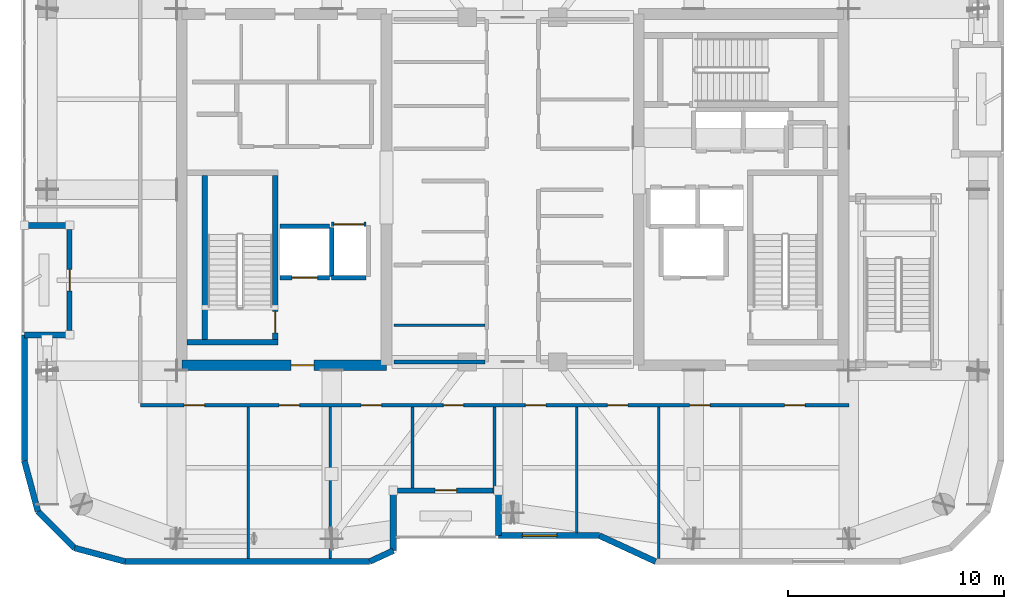
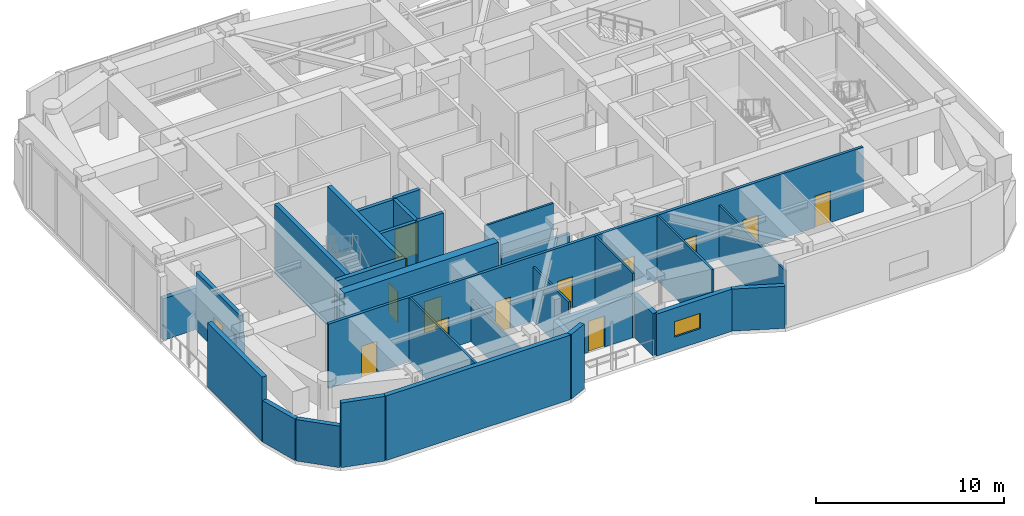
# One storey, part 11 of 17: 32 walls, 14 doors, 1 window, 15 openings.
"""IFC4 building model written with IfcOpenShell, lengths in metres."""

from ifc_helpers import new_model, si_unit, direction, frame, frame_2d, origin, place, context, subcontext, project, spatial, rectangle, extrude, material, layer, layer_set, type_object, element, fill, save


model = new_model("IFC4")

# Units and contexts
model_context = context("Model", 3, precision=1e-05, world=origin(), true_north=direction((0.0, 1.0)))
body_context = subcontext(model_context, "Body", "Model", "MODEL_VIEW")
ifc_project = project(units=[si_unit("LENGTHUNIT", "METRE"), si_unit("AREAUNIT", "SQUARE_METRE"), si_unit("VOLUMEUNIT", "CUBIC_METRE"), si_unit("PLANEANGLEUNIT", "RADIAN"), si_unit("MASSUNIT", "GRAM", prefix="KILO")], contexts=[model_context])

# Site, building, storey
site_placement = place(None, origin())
site = spatial("IfcSite", under=ifc_project, at=site_placement, CompositionType="ELEMENT")
building_placement = place(site_placement, origin())
building = spatial("IfcBuilding", under=site, at=building_placement, Name="Kiyonajd Concourse Tower", CompositionType="ELEMENT")
storey_placement = place(building_placement, frame((0.0, 0.0, 350.39990234375)))
storey = spatial("IfcBuildingStorey", under=building, at=storey_placement, Name="L88", CompositionType="ELEMENT", Elevation=350.39990234375)

# Wall, opening, door
ifc_material_1 = material(Name="Concrete C60/75", Category="concrete")
ifc_layer_1 = layer(ifc_material_1, 0.5)
ifc_layer_set_1 = layer_set([ifc_layer_1], Name="Concrete C60/75")
wall_type_1 = type_object("IfcWallType", Name="WL-CORE-500", PredefinedType="SHEAR", material=ifc_layer_set_1)
wall_1_placement = place(storey_placement, frame((32.64990234375, 27.85009765625, 0.0), z_axis=(0.0, 0.0, 1.0), x_axis=(1.0, 0.0, 0.0)))
wall_1 = element("IfcWall", 1, at=wall_1_placement, inside=storey, type_object=wall_type_1, Name="L88 West Core South Shear Wall", PredefinedType="SHEAR", context=body_context, shape_type="SweptSolid", body=[
    extrude(rectangle(XDim=9.5, YDim=0.5, at=frame_2d((4.75, 0.0))), origin(), (0.0, 0.0, 1.0), 4.5),
])
opening_1_placement = place(wall_1_placement, frame((5.074951171875, 0.0, 0.0)))
opening_1 = element("IfcOpeningElement", 2, at=opening_1_placement, cuts=wall_1, Name="Opening DF5", PredefinedType="OPENING", context=body_context, shape_type="SweptSolid", body=[
    extrude(rectangle(XDim=1.050048828125, YDim=2.0400390625, at=frame_2d((0.52490234375, 1.02001953125))), frame((0.0, 0.260009765625, 0.0), z_axis=(0.0, -1.0, 0.0), x_axis=(1.0, 0.0, 0.0)), (0.0, 0.0, 1.0), 0.52001953125),
])
ifc_material_2 = material(Name="Brushed Stainless Steel Cab Assembly", Category="steel")
door_type_1 = type_object("IfcDoorType", Name="DR-FD45-1050", OperationType="NOTDEFINED", PredefinedType="DOOR", material=ifc_material_2)
door_1_placement = place(opening_1_placement, origin())
door_1 = element("IfcDoor", 3, at=door_1_placement, inside=storey, type_object=door_type_1, Name="L88 Firefighting Lift Lobby W Smoke Door", OperationType="SINGLE_SWING_LEFT", OverallHeight=2.0400390625, OverallWidth=1.050048828125, PredefinedType="DOOR", context=body_context, shape_type="SweptSolid", body=[
    extrude(rectangle(XDim=1.050048828125, YDim=2.0400390625, at=frame_2d((0.52490234375, 1.02001953125))), frame((0.0, 0.02490234375, 0.0), z_axis=(0.0, -1.0, 0.0), x_axis=(1.0, 0.0, 0.0)), (0.0, 0.0, 1.0), 0.050048828125),
])
fill(opening_1, door_1)

# Walls
ifc_material_3 = material(Name="Precast concrete C50/60", Category="concrete")
ifc_layer_2 = layer(ifc_material_3, 0.280029296875)
ifc_layer_set_2 = layer_set([ifc_layer_2], Name="Precast concrete C50/60")
wall_type_2 = type_object("IfcWallType", Name="WL-EXT-280", PredefinedType="SOLIDWALL", material=ifc_layer_set_2)
wall_2_placement = place(storey_placement, frame((25.968505859375, 21.072509765625, 0.0), z_axis=(0.0, 0.0, 1.0), x_axis=(-0.258751159445, 0.965944013639, 0.0)))
element("IfcWall", 4, at=wall_2_placement, inside=storey, type_object=wall_type_2, Name="L88 Exterior Concrete Frame Wall 00", PredefinedType="SOLIDWALL", context=body_context, shape_type="SweptSolid", body=[
    extrude(rectangle(XDim=2.4287109375, YDim=0.280029296875, at=frame_2d((1.21435546875, 0.0))), origin(), (0.0, 0.0, 1.0), 2.695068359375),
])
wall_3_placement = place(storey_placement, frame((25.340087890625, 23.41845703125, 0.0), z_axis=(0.0, 0.0, 1.0), x_axis=(0.0, 1.0, 0.0)))
element("IfcWall", 5, at=wall_3_placement, inside=storey, type_object=wall_type_2, Name="L88 Exterior Concrete Frame Wall 01", PredefinedType="SOLIDWALL", context=body_context, shape_type="SweptSolid", body=[
    extrude(rectangle(XDim=5.841552734375, YDim=0.280029296875, at=frame_2d((2.9208984375, 0.0))), origin(), (0.0, 0.0, 1.0), 4.2001953125),
])
for number, where, z_axis, x_axis, name in (
    (6, (25.340087890625, 29.260009765625, 0.0), (0.0, 0.0, 1.0), (1.0, 0.0, 0.0), "L88 Exterior Concrete Frame Wall 02"),
    (7, (27.43994140625, 34.340087890625, 0.0), (0.0, 0.0, 1.0), (-1.0, 0.0, 0.0), "L88 Exterior Concrete Frame Wall 04"),
):
    element("IfcWall", number, at=place(storey_placement, frame(where, z_axis=z_axis, x_axis=x_axis)), inside=storey, type_object=wall_type_2, Name=name, PredefinedType="SOLIDWALL", context=body_context, shape_type="SweptSolid", body=[
        extrude(rectangle(XDim=2.099853515625, YDim=0.280029296875, at=frame_2d((1.0498046875, 0.0))), origin(), (0.0, 0.0, 1.0), 2.695068359375),
    ])
wall_4_placement = place(storey_placement, frame((54.630615234375, 18.739990234375, 0.0), z_axis=(0.0, 0.0, 1.0), x_axis=(-0.907956889006, 0.419063584324, 0.0)))
element("IfcWall", 8, at=wall_4_placement, inside=storey, type_object=wall_type_2, Name="L88 Exterior Concrete Frame Wall 29", PredefinedType="SOLIDWALL", context=body_context, shape_type="SweptSolid", body=[
    extrude(rectangle(XDim=2.863525390625, YDim=0.280029296875, at=frame_2d((1.431640625, 0.0))), origin(), (0.0, 0.0, 1.0), 2.735107421875),
])

# Wall, opening, window
wall_5_placement = place(storey_placement, frame((52.03076171875, 19.93994140625, 0.0), z_axis=(0.0, 0.0, 1.0), x_axis=(-1.0, 0.0, 0.0)))
wall_5 = element("IfcWall", 9, at=wall_5_placement, inside=storey, type_object=wall_type_2, Name="L88 Exterior Concrete Frame Wall 30", PredefinedType="SOLIDWALL", context=body_context, shape_type="SweptSolid", body=[
    extrude(rectangle(XDim=4.690673828125, YDim=0.280029296875, at=frame_2d((2.34521484375, 0.0))), origin(), (0.0, 0.0, 1.0), 2.735107421875),
])
opening_2_placement = place(wall_5_placement, frame((1.98095703125, 0.0, 0.85009765625)))
opening_2 = element("IfcOpeningElement", 10, at=opening_2_placement, cuts=wall_5, Name="Opening WN6", PredefinedType="OPENING", context=body_context, shape_type="SweptSolid", body=[
    extrude(rectangle(XDim=1.60009765625, YDim=1.0, at=frame_2d((0.800048828125, 0.5))), frame((0.0, 0.14990234375, 0.0), z_axis=(0.0, -1.0, 0.0), x_axis=(1.0, 0.0, 0.0)), (0.0, 0.0, 1.0), 0.300048828125),
])
ifc_material_4 = material(Name="Double Low-E Insulated Glass", Category="glass")
window_type = type_object("IfcWindowType", Name="WN-VIS-1600x1000", PartitioningType="SINGLE_PANEL", PredefinedType="WINDOW", material=ifc_material_4)
window_placement = place(opening_2_placement, origin())
window = element("IfcWindow", 11, at=window_placement, inside=storey, type_object=window_type, Name="L88 Modular Facade Vision Window 30", OverallHeight=1.0, OverallWidth=1.60009765625, PartitioningType="SINGLE_PANEL", PredefinedType="WINDOW", context=body_context, shape_type="SweptSolid", body=[
    extrude(rectangle(XDim=1.60009765625, YDim=1.0, at=frame_2d((0.800048828125, 0.5))), frame((0.0, 0.030029296875, 0.0), z_axis=(0.0, -1.0, 0.0), x_axis=(1.0, 0.0, 0.0)), (0.0, 0.0, 1.0), 0.06005859375),
])
fill(opening_2, window)

# Walls
wall_6_placement = place(storey_placement, frame((47.340087890625, 19.93994140625, 0.0), z_axis=(0.0, 0.0, 1.0), x_axis=(0.0, 1.0, 0.0)))
element("IfcWall", 12, at=wall_6_placement, inside=storey, type_object=wall_type_2, Name="L88 Exterior Concrete Frame Wall 31", PredefinedType="SOLIDWALL", context=body_context, shape_type="SweptSolid", body=[
    extrude(rectangle(XDim=2.10009765625, YDim=0.280029296875, at=frame_2d((1.050048828125, 0.0))), origin(), (0.0, 0.0, 1.0), 2.735107421875),
])
wall_7_placement = place(storey_placement, frame((42.4599609375, 22.0400390625, 0.0), z_axis=(0.0, 0.0, 1.0), x_axis=(0.0, -1.0, 0.0)))
element("IfcWall", 13, at=wall_7_placement, inside=storey, type_object=wall_type_2, Name="L88 Exterior Concrete Frame Wall 33", PredefinedType="SOLIDWALL", context=body_context, shape_type="SweptSolid", body=[
    extrude(rectangle(XDim=2.79638671875, YDim=0.280029296875, at=frame_2d((1.398193359375, 0.0))), origin(), (0.0, 0.0, 1.0), 2.735107421875),
])
wall_8_placement = place(storey_placement, frame((42.4599609375, 19.24365234375, 0.0), z_axis=(0.0, 0.0, 1.0), x_axis=(-0.907893953211, -0.419199916176, 0.0)))
element("IfcWall", 14, at=wall_8_placement, inside=storey, type_object=wall_type_2, Name="L88 Exterior Concrete Frame Wall 34", PredefinedType="SOLIDWALL", context=body_context, shape_type="SweptSolid", body=[
    extrude(rectangle(XDim=1.201416015625, YDim=0.280029296875, at=frame_2d((0.6005859375, 0.0))), origin(), (0.0, 0.0, 1.0), 4.2001953125),
])
wall_9_placement = place(storey_placement, frame((41.369140625, 18.739990234375, 0.0), z_axis=(0.0, 0.0, 1.0), x_axis=(-1.0, 0.0, 0.0)))
element("IfcWall", 15, at=wall_9_placement, inside=storey, type_object=wall_type_2, Name="L88 Exterior Concrete Frame Wall 35", PredefinedType="SOLIDWALL", context=body_context, shape_type="SweptSolid", body=[
    extrude(rectangle(XDim=11.350830078125, YDim=0.280029296875, at=frame_2d((5.67529296875, 0.0))), origin(), (0.0, 0.0, 1.0), 4.2001953125),
])
wall_10_placement = place(storey_placement, frame((30.018310546875, 18.739990234375, 0.0), z_axis=(0.0, 0.0, 1.0), x_axis=(-0.965937282298, 0.25877628691, 0.0)))
element("IfcWall", 16, at=wall_10_placement, inside=storey, type_object=wall_type_2, Name="L88 Exterior Concrete Frame Wall 36", PredefinedType="SOLIDWALL", context=body_context, shape_type="SweptSolid", body=[
    extrude(rectangle(XDim=2.428466796875, YDim=0.280029296875, at=frame_2d((1.21435546875, 0.0))), origin(), (0.0, 0.0, 1.0), 4.2001953125),
])
wall_11_placement = place(storey_placement, frame((27.672607421875, 19.368408203125, 0.0), z_axis=(0.0, 0.0, 1.0), x_axis=(-0.707106781187, 0.707106781187, 0.0)))
element("IfcWall", 17, at=wall_11_placement, inside=storey, type_object=wall_type_2, Name="L88 Exterior Concrete Frame Wall 37", PredefinedType="SOLIDWALL", context=body_context, shape_type="SweptSolid", body=[
    extrude(rectangle(XDim=2.409912109375, YDim=0.280029296875, at=frame_2d((1.205078125, 0.0))), origin(), (0.0, 0.0, 1.0), 2.695068359375),
])

# Wall, opening, door
ifc_layer_3 = layer(ifc_material_3, 0.239990234375)
ifc_layer_set_3 = layer_set([ifc_layer_3], Name="Precast concrete C50/60")
wall_type_3 = type_object("IfcWallType", Name="WL-LOG-240", PredefinedType="SOLIDWALL", material=ifc_layer_set_3)
wall_12_placement = place(storey_placement, frame((27.43994140625, 29.455078125, 0.0), z_axis=(0.0, 0.0, 1.0), x_axis=(0.0, 1.0, 0.0)))
wall_12 = element("IfcWall", 18, at=wall_12_placement, inside=storey, type_object=wall_type_3, Name="L88 Recessed Loggia Thermal Wall LOG-W", PredefinedType="SOLIDWALL", context=body_context, shape_type="SweptSolid", body=[
    extrude(rectangle(XDim=4.68994140625, YDim=0.239990234375, at=frame_2d((2.344970703125, 0.0))), origin(), (0.0, 0.0, 1.0), 3.791015625),
])
opening_3_placement = place(wall_12_placement, frame((1.844970703125, 0.0, 0.0)))
opening_3 = element("IfcOpeningElement", 19, at=opening_3_placement, cuts=wall_12, Name="Opening DL1", PredefinedType="OPENING", context=body_context, shape_type="SweptSolid", body=[
    extrude(rectangle(XDim=1.0, YDim=2.02001953125, at=frame_2d((0.5, 1.010009765625))), frame((0.0, 0.1298828125, 0.0), z_axis=(0.0, -1.0, 0.0), x_axis=(1.0, 0.0, 0.0)), (0.0, 0.0, 1.0), 0.260009765625),
])
ifc_material_5 = material(Name="Thermally Broken Anodised Aluminium", Category="aluminium")
door_type_2 = type_object("IfcDoorType", Name="DR-LOG-1000", OperationType="NOTDEFINED", PredefinedType="DOOR", material=ifc_material_5)
door_2_placement = place(opening_3_placement, origin())
door_2 = element("IfcDoor", 20, at=door_2_placement, inside=storey, type_object=door_type_2, Name="L88 Engawa Loggia Access Door LOG-W", OperationType="SINGLE_SWING_LEFT", OverallHeight=2.02001953125, OverallWidth=1.0, PredefinedType="DOOR", context=body_context, shape_type="SweptSolid", body=[
    extrude(rectangle(XDim=1.0, YDim=2.02001953125, at=frame_2d((0.5, 1.010009765625))), frame((0.0, 0.02490234375, 0.0), z_axis=(0.0, -1.0, 0.0), x_axis=(1.0, 0.0, 0.0)), (0.0, 0.0, 1.0), 0.050048828125),
])
fill(opening_3, door_2)

wall_13_placement = place(storey_placement, frame((47.14501953125, 22.0400390625, 0.0), z_axis=(0.0, 0.0, 1.0), x_axis=(-1.0, 0.0, 0.0)))
wall_13 = element("IfcWall", 21, at=wall_13_placement, inside=storey, type_object=wall_type_3, Name="L88 Recessed Loggia Thermal Wall LOG-S", PredefinedType="SOLIDWALL", context=body_context, shape_type="SweptSolid", body=[
    extrude(rectangle(XDim=4.489990234375, YDim=0.239990234375, at=frame_2d((2.2451171875, 0.0))), origin(), (0.0, 0.0, 1.0), 2.735107421875),
])
opening_4_placement = place(wall_13_placement, frame((1.7451171875, 0.0, 0.0)))
opening_4 = element("IfcOpeningElement", 22, at=opening_4_placement, cuts=wall_13, Name="Opening DL1", PredefinedType="OPENING", context=body_context, shape_type="SweptSolid", body=[
    extrude(rectangle(XDim=1.0, YDim=2.02001953125, at=frame_2d((0.5, 1.010009765625))), frame((0.0, 0.1298828125, 0.0), z_axis=(0.0, -1.0, 0.0), x_axis=(1.0, 0.0, 0.0)), (0.0, 0.0, 1.0), 0.260009765625),
])
door_3_placement = place(opening_4_placement, origin())
door_3 = element("IfcDoor", 23, at=door_3_placement, inside=storey, type_object=door_type_2, Name="L88 Engawa Loggia Access Door LOG-S", OperationType="SINGLE_SWING_RIGHT", OverallHeight=2.02001953125, OverallWidth=1.0, PredefinedType="DOOR", context=body_context, shape_type="SweptSolid", body=[
    extrude(rectangle(XDim=1.0, YDim=2.02001953125, at=frame_2d((0.5, 1.010009765625))), frame((0.0, 0.02490234375, 0.0), z_axis=(0.0, -1.0, 0.0), x_axis=(1.0, 0.0, 0.0)), (0.0, 0.0, 1.0), 0.050048828125),
])
fill(opening_4, door_3)

# Walls
ifc_material_6 = material(Name="Gypsum Board on Cold-Formed Steel Stud", Category="steel")
ifc_layer_4 = layer(ifc_material_6, 0.125)
ifc_layer_set_4 = layer_set([ifc_layer_4], Name="Gypsum Board on Cold-Formed Steel Stud")
wall_type_4 = type_object("IfcWallType", Name="WL-PART-125", PredefinedType="PARTITIONING", material=ifc_layer_set_4)
wall_14_placement = place(storey_placement, frame((42.5, 29.7099609375, 0.0), z_axis=(0.0, 0.0, 1.0), x_axis=(1.0, 0.0, 0.0)))
element("IfcWall", 24, at=wall_14_placement, inside=storey, type_object=wall_type_4, Name="L88 Interior Partition Wall", PredefinedType="PARTITIONING", context=body_context, shape_type="SweptSolid", body=[
    extrude(rectangle(XDim=4.212890625, YDim=0.125, at=frame_2d((2.1064453125, 0.0))), origin(), (0.0, 0.0, 1.0), 4.2001953125),
])
wall_15_placement = place(storey_placement, frame((35.72998046875, 18.875, 0.0), z_axis=(0.0, 0.0, 1.0), x_axis=(0.0, 1.0, 0.0)))
element("IfcWall", 25, at=wall_15_placement, inside=storey, type_object=wall_type_4, Name="L88 Interior Partition Wall", PredefinedType="PARTITIONING", context=body_context, shape_type="SweptSolid", body=[
    extrude(rectangle(XDim=7.0380859375, YDim=0.125, at=frame_2d((3.51904296875, 0.0))), origin(), (0.0, 0.0, 1.0), 4.2001953125),
])
wall_16_placement = place(storey_placement, frame((39.5400390625, 18.875, 0.0), z_axis=(0.0, 0.0, 1.0), x_axis=(0.0, 1.0, 0.0)))
element("IfcWall", 26, at=wall_16_placement, inside=storey, type_object=wall_type_4, Name="L88 Interior Partition Wall", PredefinedType="PARTITIONING", context=body_context, shape_type="SweptSolid", body=[
    extrude(rectangle(XDim=7.0380859375, YDim=0.125, at=frame_2d((3.51904296875, 0.0))), origin(), (0.0, 0.0, 1.0), 2.695068359375),
])
wall_17_placement = place(storey_placement, frame((43.35009765625, 22.155029296875, 0.0), z_axis=(0.0, 0.0, 1.0), x_axis=(0.0, 1.0, 0.0)))
element("IfcWall", 27, at=wall_17_placement, inside=storey, type_object=wall_type_4, Name="L88 Interior Partition Wall", PredefinedType="PARTITIONING", context=body_context, shape_type="SweptSolid", body=[
    extrude(rectangle(XDim=3.758056640625, YDim=0.125, at=frame_2d((1.87890625, 0.0))), origin(), (0.0, 0.0, 1.0), 3.523193359375),
])
wall_18_placement = place(storey_placement, frame((47.159912109375, 21.89990234375, 0.0), z_axis=(0.0, 0.0, 1.0), x_axis=(0.0, 1.0, 0.0)))
element("IfcWall", 28, at=wall_18_placement, inside=storey, type_object=wall_type_4, Name="L88 Interior Partition Wall", PredefinedType="PARTITIONING", context=body_context, shape_type="SweptSolid", body=[
    extrude(rectangle(XDim=4.01318359375, YDim=0.125, at=frame_2d((2.006591796875, 0.0))), origin(), (0.0, 0.0, 1.0), 4.2001953125),
])
wall_19_placement = place(storey_placement, frame((50.969970703125, 20.074951171875, 0.0), z_axis=(0.0, 0.0, 1.0), x_axis=(0.0, 1.0, 0.0)))
element("IfcWall", 29, at=wall_19_placement, inside=storey, type_object=wall_type_4, Name="L88 Interior Partition Wall", PredefinedType="PARTITIONING", context=body_context, shape_type="SweptSolid", body=[
    extrude(rectangle(XDim=5.838134765625, YDim=0.125, at=frame_2d((2.9189453125, 0.0))), origin(), (0.0, 0.0, 1.0), 4.2001953125),
])
wall_20_placement = place(storey_placement, frame((54.780029296875, 18.875, 0.0), z_axis=(0.0, 0.0, 1.0), x_axis=(0.0, 1.0, 0.0)))
element("IfcWall", 30, at=wall_20_placement, inside=storey, type_object=wall_type_4, Name="L88 Interior Partition Wall", PredefinedType="PARTITIONING", context=body_context, shape_type="SweptSolid", body=[
    extrude(rectangle(XDim=7.0380859375, YDim=0.125, at=frame_2d((3.51904296875, 0.0))), origin(), (0.0, 0.0, 1.0), 3.523193359375),
])

# Wall, opening, door
ifc_layer_5 = layer(ifc_material_6, 0.2099609375)
ifc_layer_set_5 = layer_set([ifc_layer_5], Name="Gypsum Board on Cold-Formed Steel Stud")
wall_type_5 = type_object("IfcWallType", Name="WL-SHAFT-210", PredefinedType="PARTITIONING", material=ifc_layer_set_5)
wall_21_placement = place(storey_placement, frame((37.199951171875, 31.89990234375, 0.0), z_axis=(0.0, 0.0, 1.0), x_axis=(1.0, 0.0, 0.0)))
wall_21 = element("IfcWall", 31, at=wall_21_placement, inside=storey, type_object=wall_type_5, Name="L88 Shaft Enclosure Wall", PredefinedType="PARTITIONING", context=body_context, shape_type="SweptSolid", body=[
    extrude(rectangle(XDim=2.300048828125, YDim=0.2099609375, at=frame_2d((1.14990234375, 0.0))), origin(), (0.0, 0.0, 1.0), 4.2001953125),
])
opening_5_placement = place(wall_21_placement, frame((0.550048828125, 0.0, 0.0)))
opening_5 = element("IfcOpeningElement", 32, at=opening_5_placement, cuts=wall_21, Name="Opening LD2", PredefinedType="OPENING", context=body_context, shape_type="SweptSolid", body=[
    extrude(rectangle(XDim=1.199951171875, YDim=2.0400390625, at=frame_2d((0.60009765625, 1.02001953125))), frame((0.0, 0.114990234375, 0.0), z_axis=(0.0, -1.0, 0.0), x_axis=(1.0, 0.0, 0.0)), (0.0, 0.0, 1.0), 0.22998046875),
])
door_type_3 = type_object("IfcDoorType", Name="DR-LD-1200", OperationType="DOUBLE_DOOR_SLIDING", PredefinedType="DOOR", material=ifc_material_2)
door_4_placement = place(opening_5_placement, origin())
door_4 = element("IfcDoor", 33, at=door_4_placement, inside=storey, type_object=door_type_3, Name="L88 Lift FFL1 Sliding Landing Door", OperationType="DOUBLE_DOOR_SLIDING", OverallHeight=2.0400390625, OverallWidth=1.199951171875, PredefinedType="DOOR", context=body_context, shape_type="SweptSolid", body=[
    extrude(rectangle(XDim=1.199951171875, YDim=2.0400390625, at=frame_2d((0.60009765625, 1.02001953125))), frame((0.0, 0.02490234375, 0.0), z_axis=(0.0, -1.0, 0.0), x_axis=(1.0, 0.0, 0.0)), (0.0, 0.0, 1.0), 0.050048828125),
])
fill(opening_5, door_4)

# Walls
wall_22_placement = place(storey_placement, frame((37.199951171875, 34.300048828125, 0.0), z_axis=(0.0, 0.0, 1.0), x_axis=(1.0, 0.0, 0.0)))
element("IfcWall", 34, at=wall_22_placement, inside=storey, type_object=wall_type_5, Name="L88 Shaft Enclosure Wall", PredefinedType="PARTITIONING", context=body_context, shape_type="SweptSolid", body=[
    extrude(rectangle(XDim=2.300048828125, YDim=0.2099609375, at=frame_2d((1.14990234375, 0.0))), origin(), (0.0, 0.0, 1.0), 4.2001953125),
])
wall_23_placement = place(storey_placement, frame((39.60009765625, 31.9599609375, 0.0), z_axis=(0.0, 0.0, 1.0), x_axis=(0.0, 1.0, 0.0)))
element("IfcWall", 35, at=wall_23_placement, inside=storey, type_object=wall_type_5, Name="L88 Shaft Enclosure Wall", PredefinedType="PARTITIONING", context=body_context, shape_type="SweptSolid", body=[
    extrude(rectangle(XDim=2.280029296875, YDim=0.2099609375, at=frame_2d((1.14013671875, 0.0))), origin(), (0.0, 0.0, 1.0), 4.2001953125),
])

# Wall, opening, door
wall_24_placement = place(storey_placement, frame((39.60009765625, 34.39990234375, 0.0), z_axis=(0.0, 0.0, 1.0), x_axis=(1.0, 0.0, 0.0)))
wall_24 = element("IfcWall", 36, at=wall_24_placement, inside=storey, type_object=wall_type_5, Name="L88 Shaft Enclosure Wall", PredefinedType="PARTITIONING", context=body_context, shape_type="SweptSolid", body=[
    extrude(rectangle(XDim=1.599853515625, YDim=0.2099609375, at=frame_2d((0.7998046875, 0.0))), origin(), (0.0, 0.0, 1.0), 4.2001953125),
])
opening_6_placement = place(wall_24_placement, frame((0.10009765625, 0.0, 0.0)))
opening_6 = element("IfcOpeningElement", 37, at=opening_6_placement, cuts=wall_24, Name="Opening LD3", PredefinedType="OPENING", context=body_context, shape_type="SweptSolid", body=[
    extrude(rectangle(XDim=1.39990234375, YDim=2.06005859375, at=frame_2d((0.699951171875, 1.030029296875))), frame((0.0, 0.114990234375, 0.0), z_axis=(0.0, -1.0, 0.0), x_axis=(1.0, 0.0, 0.0)), (0.0, 0.0, 1.0), 0.22998046875),
])
door_type_4 = type_object("IfcDoorType", Name="DR-LD-1400", OperationType="DOUBLE_DOOR_SLIDING", PredefinedType="DOOR", material=ifc_material_2)
door_5_placement = place(opening_6_placement, origin())
door_5 = element("IfcDoor", 38, at=door_5_placement, inside=storey, type_object=door_type_4, Name="L88 Lift SVL1 Sliding Landing Door", OperationType="DOUBLE_DOOR_SLIDING", OverallHeight=2.06005859375, OverallWidth=1.39990234375, PredefinedType="DOOR", context=body_context, shape_type="SweptSolid", body=[
    extrude(rectangle(XDim=1.39990234375, YDim=2.06005859375, at=frame_2d((0.699951171875, 1.030029296875))), frame((0.0, 0.02490234375, 0.0), z_axis=(0.0, -1.0, 0.0), x_axis=(1.0, 0.0, 0.0)), (0.0, 0.0, 1.0), 0.050048828125),
])
fill(opening_6, door_5)

# Walls
wall_25_placement = place(storey_placement, frame((39.60009765625, 31.89990234375, 0.0), z_axis=(0.0, 0.0, 1.0), x_axis=(1.0, 0.0, 0.0)))
element("IfcWall", 39, at=wall_25_placement, inside=storey, type_object=wall_type_5, Name="L88 Shaft Enclosure Wall", PredefinedType="PARTITIONING", context=body_context, shape_type="SweptSolid", body=[
    extrude(rectangle(XDim=1.599853515625, YDim=0.2099609375, at=frame_2d((0.7998046875, 0.0))), origin(), (0.0, 0.0, 1.0), 4.2001953125),
])
ifc_layer_6 = layer(ifc_material_6, 0.169921875)
ifc_layer_set_6 = layer_set([ifc_layer_6], Name="Gypsum Board on Cold-Formed Steel Stud")
wall_type_6 = type_object("IfcWallType", Name="WL-SMK-170", PredefinedType="PARTITIONING", material=ifc_layer_set_6)
wall_26_placement = place(storey_placement, frame((42.5, 28.0, 0.0), z_axis=(0.0, 0.0, 1.0), x_axis=(1.0, 0.0, 0.0)))
element("IfcWall", 40, at=wall_26_placement, inside=storey, type_object=wall_type_6, Name="L88 Interior Partition Wall", PredefinedType="PARTITIONING", context=body_context, shape_type="SweptSolid", body=[
    extrude(rectangle(XDim=4.212890625, YDim=0.169921875, at=frame_2d((2.1064453125, 0.0))), origin(), (0.0, 0.0, 1.0), 3.28515625),
])

# Wall, openings, doors
wall_27_placement = place(storey_placement, frame((30.72509765625, 26.0, 0.0), z_axis=(0.0, 0.0, 1.0), x_axis=(1.0, 0.0, 0.0)))
wall_27 = element("IfcWall", 41, at=wall_27_placement, inside=storey, type_object=wall_type_6, Name="L88 Interior Partition Wall", PredefinedType="PARTITIONING", context=body_context, shape_type="SweptSolid", body=[
    extrude(rectangle(XDim=32.875, YDim=0.169921875, at=frame_2d((16.4375, 0.0))), origin(), (0.0, 0.0, 1.0), 4.2001953125),
])
opening_7_placement = place(wall_27_placement, frame((2.027099609375, 0.0, 0.0)))
opening_7 = element("IfcOpeningElement", 42, at=opening_7_placement, cuts=wall_27, Name="Opening DI1", PredefinedType="OPENING", context=body_context, shape_type="SweptSolid", body=[
    extrude(rectangle(XDim=0.949951171875, YDim=2.0400390625, at=frame_2d((0.47509765625, 1.02001953125))), frame((0.0, 0.094970703125, 0.0), z_axis=(0.0, -1.0, 0.0), x_axis=(1.0, 0.0, 0.0)), (0.0, 0.0, 1.0), 0.18994140625),
])
opening_8_placement = place(wall_27_placement, frame((6.43505859375, 0.0, 0.0)))
opening_8 = element("IfcOpeningElement", 43, at=opening_8_placement, cuts=wall_27, Name="Opening DI1", PredefinedType="OPENING", context=body_context, shape_type="SweptSolid", body=[
    extrude(rectangle(XDim=0.949951171875, YDim=2.0400390625, at=frame_2d((0.47509765625, 1.02001953125))), frame((0.0, 0.094970703125, 0.0), z_axis=(0.0, -1.0, 0.0), x_axis=(1.0, 0.0, 0.0)), (0.0, 0.0, 1.0), 0.18994140625),
])
opening_9_placement = place(wall_27_placement, frame((10.2451171875, 0.0, 0.0)))
opening_9 = element("IfcOpeningElement", 44, at=opening_9_placement, cuts=wall_27, Name="Opening DI1", PredefinedType="OPENING", context=body_context, shape_type="SweptSolid", body=[
    extrude(rectangle(XDim=0.949951171875, YDim=2.0400390625, at=frame_2d((0.47509765625, 1.02001953125))), frame((0.0, 0.094970703125, 0.0), z_axis=(0.0, -1.0, 0.0), x_axis=(1.0, 0.0, 0.0)), (0.0, 0.0, 1.0), 0.18994140625),
])
opening_10_placement = place(wall_27_placement, frame((14.054931640625, 0.0, 0.0)))
opening_10 = element("IfcOpeningElement", 45, at=opening_10_placement, cuts=wall_27, Name="Opening DI1", PredefinedType="OPENING", context=body_context, shape_type="SweptSolid", body=[
    extrude(rectangle(XDim=0.949951171875, YDim=2.0400390625, at=frame_2d((0.47509765625, 1.02001953125))), frame((0.0, 0.094970703125, 0.0), z_axis=(0.0, -1.0, 0.0), x_axis=(1.0, 0.0, 0.0)), (0.0, 0.0, 1.0), 0.18994140625),
])
opening_11_placement = place(wall_27_placement, frame((17.864990234375, 0.0, 0.0)))
opening_11 = element("IfcOpeningElement", 46, at=opening_11_placement, cuts=wall_27, Name="Opening DI1", PredefinedType="OPENING", context=body_context, shape_type="SweptSolid", body=[
    extrude(rectangle(XDim=0.949951171875, YDim=2.0400390625, at=frame_2d((0.47509765625, 1.02001953125))), frame((0.0, 0.094970703125, 0.0), z_axis=(0.0, -1.0, 0.0), x_axis=(1.0, 0.0, 0.0)), (0.0, 0.0, 1.0), 0.18994140625),
])
opening_12_placement = place(wall_27_placement, frame((21.675048828125, 0.0, 0.0)))
opening_12 = element("IfcOpeningElement", 47, at=opening_12_placement, cuts=wall_27, Name="Opening DI1", PredefinedType="OPENING", context=body_context, shape_type="SweptSolid", body=[
    extrude(rectangle(XDim=0.949951171875, YDim=2.0400390625, at=frame_2d((0.47509765625, 1.02001953125))), frame((0.0, 0.094970703125, 0.0), z_axis=(0.0, -1.0, 0.0), x_axis=(1.0, 0.0, 0.0)), (0.0, 0.0, 1.0), 0.18994140625),
])
opening_13_placement = place(wall_27_placement, frame((25.485107421875, 0.0, 0.0)))
opening_13 = element("IfcOpeningElement", 48, at=opening_13_placement, cuts=wall_27, Name="Opening DI1", PredefinedType="OPENING", context=body_context, shape_type="SweptSolid", body=[
    extrude(rectangle(XDim=0.949951171875, YDim=2.0400390625, at=frame_2d((0.47509765625, 1.02001953125))), frame((0.0, 0.094970703125, 0.0), z_axis=(0.0, -1.0, 0.0), x_axis=(1.0, 0.0, 0.0)), (0.0, 0.0, 1.0), 0.18994140625),
])
opening_14_placement = place(wall_27_placement, frame((29.89501953125, 0.0, 0.0)))
opening_14 = element("IfcOpeningElement", 49, at=opening_14_placement, cuts=wall_27, Name="Opening DI1", PredefinedType="OPENING", context=body_context, shape_type="SweptSolid", body=[
    extrude(rectangle(XDim=0.949951171875, YDim=2.0400390625, at=frame_2d((0.47509765625, 1.02001953125))), frame((0.0, 0.094970703125, 0.0), z_axis=(0.0, -1.0, 0.0), x_axis=(1.0, 0.0, 0.0)), (0.0, 0.0, 1.0), 0.18994140625),
])
ifc_material_7 = material(Name="Natural Oak Acoustic Timber Veneer", Category="wood")
door_type_5 = type_object("IfcDoorType", Name="DR-INT-950", OperationType="NOTDEFINED", PredefinedType="DOOR", material=ifc_material_7)
door_6_placement = place(opening_7_placement, origin())
door_6 = element("IfcDoor", 50, at=door_6_placement, inside=storey, type_object=door_type_5, Name="L88 Interior Door", OperationType="SINGLE_SWING_RIGHT", OverallHeight=2.0400390625, OverallWidth=0.949951171875, PredefinedType="DOOR", context=body_context, shape_type="SweptSolid", body=[
    extrude(rectangle(XDim=0.949951171875, YDim=2.0400390625, at=frame_2d((0.47509765625, 1.02001953125))), frame((0.0, 0.02490234375, 0.0), z_axis=(0.0, -1.0, 0.0), x_axis=(1.0, 0.0, 0.0)), (0.0, 0.0, 1.0), 0.050048828125),
])
fill(opening_7, door_6)
door_7_placement = place(opening_8_placement, origin())
door_7 = element("IfcDoor", 51, at=door_7_placement, inside=storey, type_object=door_type_5, Name="L88 Interior Door", OperationType="SINGLE_SWING_LEFT", OverallHeight=2.0400390625, OverallWidth=0.949951171875, PredefinedType="DOOR", context=body_context, shape_type="SweptSolid", body=[
    extrude(rectangle(XDim=0.949951171875, YDim=2.0400390625, at=frame_2d((0.47509765625, 1.02001953125))), frame((0.0, 0.02490234375, 0.0), z_axis=(0.0, -1.0, 0.0), x_axis=(1.0, 0.0, 0.0)), (0.0, 0.0, 1.0), 0.050048828125),
])
fill(opening_8, door_7)
door_8_placement = place(opening_9_placement, origin())
door_8 = element("IfcDoor", 52, at=door_8_placement, inside=storey, type_object=door_type_5, Name="L88 Interior Door", OperationType="SINGLE_SWING_RIGHT", OverallHeight=2.0400390625, OverallWidth=0.949951171875, PredefinedType="DOOR", context=body_context, shape_type="SweptSolid", body=[
    extrude(rectangle(XDim=0.949951171875, YDim=2.0400390625, at=frame_2d((0.47509765625, 1.02001953125))), frame((0.0, 0.02490234375, 0.0), z_axis=(0.0, -1.0, 0.0), x_axis=(1.0, 0.0, 0.0)), (0.0, 0.0, 1.0), 0.050048828125),
])
fill(opening_9, door_8)
door_9_placement = place(opening_10_placement, origin())
door_9 = element("IfcDoor", 53, at=door_9_placement, inside=storey, type_object=door_type_5, Name="L88 Interior Door", OperationType="SINGLE_SWING_LEFT", OverallHeight=2.0400390625, OverallWidth=0.949951171875, PredefinedType="DOOR", context=body_context, shape_type="SweptSolid", body=[
    extrude(rectangle(XDim=0.949951171875, YDim=2.0400390625, at=frame_2d((0.47509765625, 1.02001953125))), frame((0.0, 0.02490234375, 0.0), z_axis=(0.0, -1.0, 0.0), x_axis=(1.0, 0.0, 0.0)), (0.0, 0.0, 1.0), 0.050048828125),
])
fill(opening_10, door_9)
door_10_placement = place(opening_11_placement, origin())
door_10 = element("IfcDoor", 54, at=door_10_placement, inside=storey, type_object=door_type_5, Name="L88 Interior Door", OperationType="SINGLE_SWING_RIGHT", OverallHeight=2.0400390625, OverallWidth=0.949951171875, PredefinedType="DOOR", context=body_context, shape_type="SweptSolid", body=[
    extrude(rectangle(XDim=0.949951171875, YDim=2.0400390625, at=frame_2d((0.47509765625, 1.02001953125))), frame((0.0, 0.02490234375, 0.0), z_axis=(0.0, -1.0, 0.0), x_axis=(1.0, 0.0, 0.0)), (0.0, 0.0, 1.0), 0.050048828125),
])
fill(opening_11, door_10)
door_11_placement = place(opening_12_placement, origin())
door_11 = element("IfcDoor", 55, at=door_11_placement, inside=storey, type_object=door_type_5, Name="L88 Interior Door", OperationType="SINGLE_SWING_LEFT", OverallHeight=2.0400390625, OverallWidth=0.949951171875, PredefinedType="DOOR", context=body_context, shape_type="SweptSolid", body=[
    extrude(rectangle(XDim=0.949951171875, YDim=2.0400390625, at=frame_2d((0.47509765625, 1.02001953125))), frame((0.0, 0.02490234375, 0.0), z_axis=(0.0, -1.0, 0.0), x_axis=(1.0, 0.0, 0.0)), (0.0, 0.0, 1.0), 0.050048828125),
])
fill(opening_12, door_11)
door_12_placement = place(opening_13_placement, origin())
door_12 = element("IfcDoor", 56, at=door_12_placement, inside=storey, type_object=door_type_5, Name="L88 Interior Door", OperationType="SINGLE_SWING_RIGHT", OverallHeight=2.0400390625, OverallWidth=0.949951171875, PredefinedType="DOOR", context=body_context, shape_type="SweptSolid", body=[
    extrude(rectangle(XDim=0.949951171875, YDim=2.0400390625, at=frame_2d((0.47509765625, 1.02001953125))), frame((0.0, 0.02490234375, 0.0), z_axis=(0.0, -1.0, 0.0), x_axis=(1.0, 0.0, 0.0)), (0.0, 0.0, 1.0), 0.050048828125),
])
fill(opening_13, door_12)
door_13_placement = place(opening_14_placement, origin())
door_13 = element("IfcDoor", 57, at=door_13_placement, inside=storey, type_object=door_type_5, Name="L88 Interior Door", OperationType="SINGLE_SWING_LEFT", OverallHeight=2.0400390625, OverallWidth=0.949951171875, PredefinedType="DOOR", context=body_context, shape_type="SweptSolid", body=[
    extrude(rectangle(XDim=0.949951171875, YDim=2.0400390625, at=frame_2d((0.47509765625, 1.02001953125))), frame((0.0, 0.02490234375, 0.0), z_axis=(0.0, -1.0, 0.0), x_axis=(1.0, 0.0, 0.0)), (0.0, 0.0, 1.0), 0.050048828125),
])
fill(opening_14, door_13)

# Walls
ifc_material_8 = material(Name="Concrete C50/60", Category="concrete")
ifc_layer_7 = layer(ifc_material_8, 0.260009765625)
ifc_layer_set_7 = layer_set([ifc_layer_7], Name="Concrete C50/60")
wall_type_7 = type_object("IfcWallType", Name="WL-STAIR-260", PredefinedType="SHEAR", material=ifc_layer_set_7)
wall_28_placement = place(storey_placement, frame((32.89990234375, 28.919921875, 0.0), z_axis=(0.0, 0.0, 1.0), x_axis=(1.0, 0.0, 0.0)))
element("IfcWall", 58, at=wall_28_placement, inside=storey, type_object=wall_type_7, Name="L88 Stair ST1 Structural South Wall", PredefinedType="SHEAR", context=body_context, shape_type="SweptSolid", body=[
    extrude(rectangle(XDim=4.210205078125, YDim=0.260009765625, at=frame_2d((2.10498046875, 0.0))), origin(), (0.0, 0.0, 1.0), 4.5),
])
wall_29_placement = place(storey_placement, frame((33.719970703125, 29.050048828125, 0.0), z_axis=(0.0, 0.0, 1.0), x_axis=(0.0, 1.0, 0.0)))
element("IfcWall", 59, at=wall_29_placement, inside=storey, type_object=wall_type_7, Name="L88 Stair ST1 Structural West Wall", PredefinedType="SHEAR", context=body_context, shape_type="SweptSolid", body=[
    extrude(rectangle(XDim=7.599853515625, YDim=0.260009765625, at=frame_2d((3.7998046875, 0.0))), origin(), (0.0, 0.0, 1.0), 4.5),
])

# Wall, opening, door
wall_30_placement = place(storey_placement, frame((36.97998046875, 29.050048828125, 0.0), z_axis=(0.0, 0.0, 1.0), x_axis=(0.0, 1.0, 0.0)))
wall_30 = element("IfcWall", 60, at=wall_30_placement, inside=storey, type_object=wall_type_7, Name="L88 Stair ST1 Structural East Wall", PredefinedType="SHEAR", context=body_context, shape_type="SweptSolid", body=[
    extrude(rectangle(XDim=7.599853515625, YDim=0.260009765625, at=frame_2d((3.7998046875, 0.0))), origin(), (0.0, 0.0, 1.0), 4.5),
])
opening_15_placement = place(wall_30_placement, frame((0.300048828125, 0.0, 0.0)))
opening_15 = element("IfcOpeningElement", 61, at=opening_15_placement, cuts=wall_30, Name="Opening DF1", PredefinedType="OPENING", context=body_context, shape_type="SweptSolid", body=[
    extrude(rectangle(XDim=1.0, YDim=2.0400390625, at=frame_2d((0.5, 1.02001953125))), frame((0.0, 0.139892578125, 0.0), z_axis=(0.0, -1.0, 0.0), x_axis=(1.0, 0.0, 0.0)), (0.0, 0.0, 1.0), 0.280029296875),
])
door_type_6 = type_object("IfcDoorType", Name="DR-FD90-1000", OperationType="NOTDEFINED", PredefinedType="DOOR", material=ifc_material_2)
door_14_placement = place(opening_15_placement, origin())
door_14 = element("IfcDoor", 62, at=door_14_placement, inside=storey, type_object=door_type_6, Name="L88 Stair ST1 FSAE Door", OperationType="SINGLE_SWING_LEFT", OverallHeight=2.0400390625, OverallWidth=1.0, PredefinedType="DOOR", context=body_context, shape_type="SweptSolid", body=[
    extrude(rectangle(XDim=1.0, YDim=2.0400390625, at=frame_2d((0.5, 1.02001953125))), frame((0.0, 0.02490234375, 0.0), z_axis=(0.0, -1.0, 0.0), x_axis=(1.0, 0.0, 0.0)), (0.0, 0.0, 1.0), 0.050048828125),
])
fill(opening_15, door_14)

save(model, "model.ifc")
